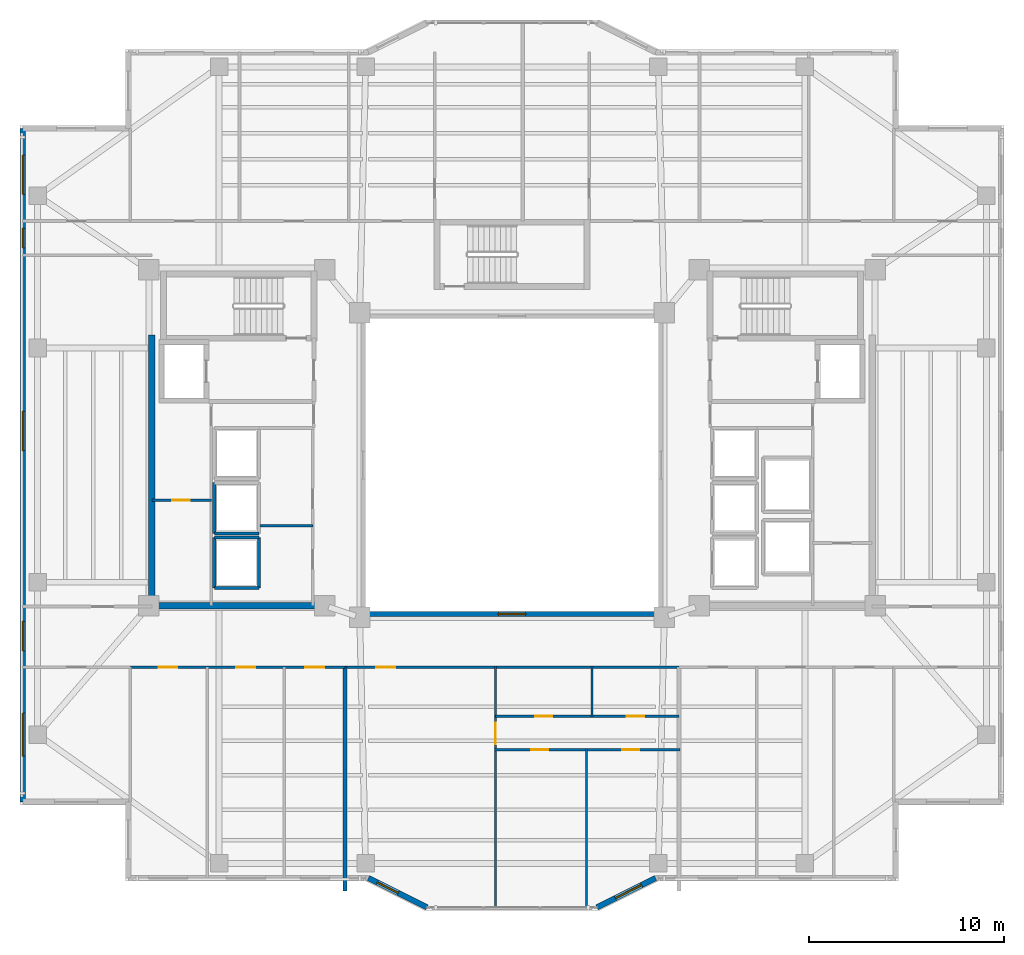
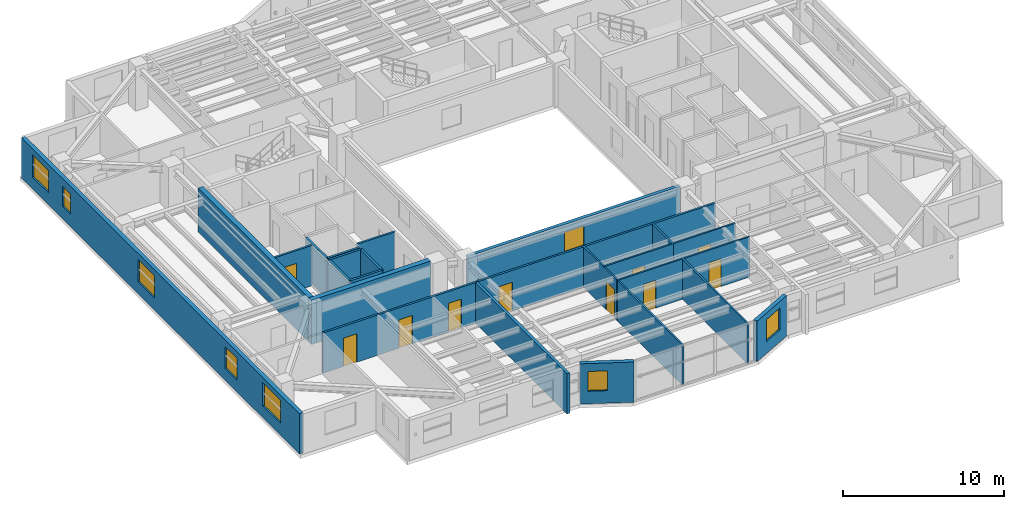
# One storey, part 6 of 15: 23 walls, 10 doors, 8 windows, 18 openings.
"""IFC4 building model written with IfcOpenShell, lengths in metres."""

import ifcopenshell
import ifcopenshell.guid

model = None  # the IFC model being written
_history = None  # IfcOwnerHistory: only IFC2X3 demands one
_inside = {}  # id of a spatial element -> (the spatial element, [elements in it])
_under = {}  # id of a project, library or spatial element -> (it, [spatial elements below it])
_declared = {}  # id of a project -> (the project, [libraries it declares])
_typed = {}  # id of a type object -> (the type object, [elements of that type])
_made_of = {}  # id of a material, layer set ... -> (it, [elements and type objects made of it])


def new_model(schema):
    """Start an empty IFC model of exactly this schema.

    Asked for "IFC4X3", IfcOpenShell would pick the latest addendum, in which some entities
    have other attributes; the version numbers below select the first issue.
    IFC2X3 requires an IfcOwnerHistory on every rooted entity: one is made here for all.
    """
    global model, _history
    if schema == "IFC4X3":
        model = ifcopenshell.file(schema_version=(4, 3, 0, 0))
    else:
        model = ifcopenshell.file(schema=schema)
    _inside.clear()
    _under.clear()
    _declared.clear()
    _typed.clear()
    _made_of.clear()
    _history = None
    if model.schema == "IFC2X3":
        org = make("IfcOrganization", Name="unknown")
        user = make(
            "IfcPersonAndOrganization",
            ThePerson=make("IfcPerson", FamilyName="unknown"),
            TheOrganization=org,
        )
        app = make(
            "IfcApplication",
            ApplicationDeveloper=org,
            Version="unknown",
            ApplicationFullName="unknown",
            ApplicationIdentifier="unknown",
        )
        _history = make(
            "IfcOwnerHistory",
            OwningUser=user,
            OwningApplication=app,
            ChangeAction="ADDED",
            CreationDate=0,
        )
    return model


def make(cls, **values):
    """One entity of the class cls with the attributes given. An attribute that is None is left unset."""
    return model.create_entity(
        cls, **{name: value for name, value in values.items() if value is not None}
    )


def rooted(cls, **values):
    """An entity with a GlobalId (a new one), such as an element, a storey or a relation."""
    return make(cls, GlobalId=ifcopenshell.guid.new(), OwnerHistory=_history, **values)


def si_unit(unit_type, name, prefix=None):
    """IfcSIUnit, for example si_unit("LENGTHUNIT", "METRE", prefix="MILLI")."""
    return make("IfcSIUnit", UnitType=unit_type, Prefix=prefix, Name=name)


def assignment(units):
    """IfcUnitAssignment: the units of a project."""
    return None if units is None else make("IfcUnitAssignment", Units=units)


def point(xyz):
    """IfcCartesianPoint."""
    return None if xyz is None else make("IfcCartesianPoint", Coordinates=xyz)


def direction(xyz):
    """IfcDirection."""
    return None if xyz is None else make("IfcDirection", DirectionRatios=xyz)


def frame(location, z_axis=None, x_axis=None):
    """IfcAxis2Placement3D, a coordinate frame: its origin and axes. An axis left out is left unset."""
    return make(
        "IfcAxis2Placement3D",
        Location=point(location),
        Axis=direction(z_axis),
        RefDirection=direction(x_axis),
    )


def frame_2d(location, x_axis=None):
    """IfcAxis2Placement2D, a coordinate frame in the plane: its origin and x axis."""
    return make(
        "IfcAxis2Placement2D", Location=point(location), RefDirection=direction(x_axis)
    )


def origin():
    """The frame at (0, 0, 0) with its axes left unset."""
    return frame((0.0, 0.0, 0.0))


def place(relative_to, where):
    """IfcLocalPlacement: puts the frame where relative to a parent placement (None: the world)."""
    return make(
        "IfcLocalPlacement", PlacementRelTo=relative_to, RelativePlacement=where
    )


def context(
    kind, dimensions, precision=None, world=None, true_north=None, identifier=None
):
    """IfcGeometricRepresentationContext, for example the 3D "Model" context."""
    return make(
        "IfcGeometricRepresentationContext",
        ContextIdentifier=identifier,
        ContextType=kind,
        CoordinateSpaceDimension=dimensions,
        Precision=precision,
        WorldCoordinateSystem=world,
        TrueNorth=true_north,
    )


def subcontext(parent, identifier, kind, view, scale=None):
    """IfcGeometricRepresentationSubContext, for example "Body" below "Model"."""
    return make(
        "IfcGeometricRepresentationSubContext",
        ContextIdentifier=identifier,
        ContextType=kind,
        ParentContext=parent,
        TargetScale=scale,
        TargetView=view,
    )


def project(units=None, contexts=None):
    """IfcProject with its units and contexts."""
    return rooted(
        "IfcProject",
        Name="project",
        RepresentationContexts=contexts,
        UnitsInContext=assignment(units),
    )


def spatial(cls, under=None, at=None, **own):
    """A site, building, storey or space (cls), placed at a placement, below another one or the project."""
    s = rooted(cls, ObjectPlacement=at, **own)
    if under is not None:
        _under.setdefault(under.id(), (under, []))[1].append(s)
    return s


def profile(cls, at=None, kind="AREA", **sizes):
    """A parametric profile (cls). Its sizes go by their IFC names, for example OverallWidth=200.0."""
    return make(cls, ProfileType=kind, Position=at, **sizes)


def rectangle(**sizes):
    """IfcRectangleProfileDef."""
    return profile("IfcRectangleProfileDef", **sizes)


def extrude(swept, where, along, depth):
    """IfcExtrudedAreaSolid: the profile swept, set in the frame where, extruded along a direction by depth."""
    return make(
        "IfcExtrudedAreaSolid",
        SweptArea=swept,
        Position=where,
        ExtrudedDirection=direction(along),
        Depth=depth,
    )


def shape(context_of_items, identifier, shape_type, items):
    """IfcShapeRepresentation: the items that make up one representation, for example the "Body"."""
    return make(
        "IfcShapeRepresentation",
        ContextOfItems=context_of_items,
        RepresentationIdentifier=identifier,
        RepresentationType=shape_type,
        Items=items,
    )


def material(Name=None, Category=None):
    """IfcMaterial."""
    return make("IfcMaterial", Name=Name, Category=Category)


def layer(
    of_material, thickness, ventilated=None, Name=None, Category=None, Priority=None
):
    """IfcMaterialLayer: one layer of a wall or slab, of a material (None: an air gap)."""
    return make(
        "IfcMaterialLayer",
        Material=of_material,
        LayerThickness=thickness,
        IsVentilated=ventilated,
        Name=Name,
        Category=Category,
        Priority=Priority,
    )


def layer_set(layers, Name=None):
    """IfcMaterialLayerSet."""
    return make("IfcMaterialLayerSet", MaterialLayers=layers, LayerSetName=Name)


def made_of(thing, what):
    """Note that an element or type object is made of a material, layer set ...; save() writes the relation."""
    if what is not None:
        _made_of.setdefault(what.id(), (what, []))[1].append(thing)
    return thing


def type_object(cls, material=None, **own):
    """A type object (cls), such as IfcWallType, which elements share."""
    return made_of(rooted(cls, **own), material)


def element(
    cls,
    number,
    at=None,
    inside=None,
    cuts=None,
    type_object=None,
    material=None,
    context=None,
    identifier="Body",
    shape_type=None,
    held_by="IfcProductDefinitionShape",
    body=None,
    shapes=None,
    **own,
):
    """One element of the class cls, such as IfcWall. Its Tag is "e" and its number.

    at: its placement. inside: the storey or other place that contains it. cuts: it is an
    opening in that element (IfcRelVoidsElement). A single representation is given by context,
    identifier, shape_type and body (its items); several are given by shapes. held_by: the class
    of the entity that holds the representations. save() writes the other relations.
    """
    e = rooted(cls, Tag="e%d" % number, ObjectPlacement=at, **own)
    if body is not None:
        shapes = [shape(context, identifier, shape_type, body)]
    if shapes is not None:
        e.Representation = make(held_by, Representations=shapes)
    if inside is not None:
        _inside.setdefault(inside.id(), (inside, []))[1].append(e)
    if cuts is not None:
        rooted(
            "IfcRelVoidsElement", RelatingBuildingElement=cuts, RelatedOpeningElement=e
        )
    if type_object is not None:
        _typed.setdefault(type_object.id(), (type_object, []))[1].append(e)
    return made_of(e, material)


def fill(opening, filler):
    """IfcRelFillsElement: the door or window that sits in an opening."""
    return rooted(
        "IfcRelFillsElement",
        RelatingOpeningElement=opening,
        RelatedBuildingElement=filler,
    )


def aggregate(whole, parts):
    """IfcRelAggregates: a whole, such as a stair, and the parts it consists of."""
    return rooted("IfcRelAggregates", RelatingObject=whole, RelatedObjects=parts)


def save(model, path):
    """Write the relations noted so far, then the file.

    IfcRelAggregates (storeys below a building ...), IfcRelContainedInSpatialStructure (elements
    in a storey), IfcRelDefinesByType, IfcRelAssociatesMaterial and IfcRelDeclares: one each for
    every whole, place, type object, material and project.
    """
    for whole, parts in _under.values():
        aggregate(whole, parts)
    for where, things in _inside.values():
        rooted(
            "IfcRelContainedInSpatialStructure",
            RelatedElements=things,
            RelatingStructure=where,
        )
    for kind, things in _typed.values():
        rooted("IfcRelDefinesByType", RelatedObjects=things, RelatingType=kind)
    for what, things in _made_of.values():
        rooted("IfcRelAssociatesMaterial", RelatedObjects=things, RelatingMaterial=what)
    for by, libraries in _declared.values():
        rooted("IfcRelDeclares", RelatingContext=by, RelatedDefinitions=libraries)
    model.write(path)


model = new_model("IFC4")

# Units and contexts
model_context = context("Model", 3, precision=1e-05, world=origin(), true_north=direction((0.0, 1.0)))
body_context = subcontext(model_context, "Body", "Model", "MODEL_VIEW")
ifc_project = project(units=[si_unit("LENGTHUNIT", "METRE"), si_unit("AREAUNIT", "SQUARE_METRE"), si_unit("VOLUMEUNIT", "CUBIC_METRE"), si_unit("PLANEANGLEUNIT", "RADIAN"), si_unit("MASSUNIT", "GRAM", prefix="KILO")], contexts=[model_context])

# Site, building, storey
site_placement = place(None, origin())
site = spatial("IfcSite", under=ifc_project, at=site_placement, CompositionType="ELEMENT")
building_placement = place(site_placement, origin())
building = spatial("IfcBuilding", under=site, at=building_placement, Name="Tarnavaz Court Tower", CompositionType="ELEMENT")
storey_placement = place(building_placement, frame((0.0, 0.0, 169.449951171875)))
storey = spatial("IfcBuildingStorey", under=building, at=storey_placement, Name="L46", CompositionType="ELEMENT", Elevation=169.449951171875)

# Walls
ifc_material_1 = material(Name="Concrete C50/60", Category="concrete")
ifc_layer_1 = layer(ifc_material_1, 0.35009765625)
ifc_layer_set_1 = layer_set([ifc_layer_1], Name="Concrete C50/60")
wall_type_1 = type_object("IfcWallType", Name="WL-CORE-350-C50", PredefinedType="SHEAR", material=ifc_layer_set_1)
wall_1_placement = place(storey_placement, frame((-18.449951171875, -7.375, 0.0), z_axis=(0.0, 0.0, 1.0), x_axis=(0.0, 1.0, 0.0)))
element("IfcWall", 1, at=wall_1_placement, inside=storey, type_object=wall_type_1, Name="L46 West Core Shear Wall 057", PredefinedType="SHEAR", context=body_context, shape_type="SweptSolid", body=[
    extrude(rectangle(XDim=14.050048828125, YDim=0.35009765625, at=frame_2d((7.02490234375, 0.0))), origin(), (0.0, 0.0, 1.0), 3.35009765625),
])
wall_2_placement = place(storey_placement, frame((-18.625, -7.199951171875, 0.0), z_axis=(0.0, 0.0, 1.0), x_axis=(1.0, 0.0, 0.0)))
element("IfcWall", 2, at=wall_2_placement, inside=storey, type_object=wall_type_1, Name="L46 West Core South Shear Wall 058", PredefinedType="SHEAR", context=body_context, shape_type="SweptSolid", body=[
    extrude(rectangle(XDim=8.550048828125, YDim=0.35009765625, at=frame_2d((4.27490234375, 0.0))), origin(), (0.0, 0.0, 1.0), 3.35009765625),
])

# Wall, openings, windows
ifc_material_2 = material(Name="Precast Concrete C40/50", Category="concrete")
ifc_layer_2 = layer(ifc_material_2, 0.280029296875)
ifc_layer_set_2 = layer_set([ifc_layer_2], Name="Precast Concrete C40/50")
wall_type_2 = type_object("IfcWallType", Name="WL-EXT-280", PredefinedType="SOLIDWALL", material=ifc_layer_set_2)
wall_3_placement = place(storey_placement, frame((-25.050048828125, -17.25, 0.0), z_axis=(0.0, 0.0, 1.0), x_axis=(0.0, 1.0, 0.0)))
wall_3 = element("IfcWall", 3, at=wall_3_placement, inside=storey, type_object=wall_type_2, Name="L46 Exterior Terracotta Facade Wall 02", PredefinedType="SOLIDWALL", context=body_context, shape_type="SweptSolid", body=[
    extrude(rectangle(XDim=34.5, YDim=0.280029296875, at=frame_2d((17.25, 0.0))), origin(), (0.0, 0.0, 1.0), 3.050048828125),
])
opening_1_placement = place(wall_3_placement, frame((2.35009765625, 0.0, 0.89990234375)))
opening_1 = element("IfcOpeningElement", 4, at=opening_1_placement, cuts=wall_3, Name="Opening W07", PredefinedType="OPENING", context=body_context, shape_type="SweptSolid", body=[
    extrude(rectangle(XDim=2.199951171875, YDim=1.75, at=frame_2d((1.10009765625, 0.875))), frame((0.0, 0.14990234375, 0.0), z_axis=(0.0, -1.0, 0.0), x_axis=(1.0, 0.0, 0.0)), (0.0, 0.0, 1.0), 0.300048828125),
])
opening_2_placement = place(wall_3_placement, frame((7.742431640625, 0.0, 0.89990234375)))
opening_2 = element("IfcOpeningElement", 5, at=opening_2_placement, cuts=wall_3, Name="Opening W03", PredefinedType="OPENING", context=body_context, shape_type="SweptSolid", body=[
    extrude(rectangle(XDim=1.5, YDim=1.64990234375, at=frame_2d((0.75, 0.824951171875))), frame((0.0, 0.14990234375, 0.0), z_axis=(0.0, -1.0, 0.0), x_axis=(1.0, 0.0, 0.0)), (0.0, 0.0, 1.0), 0.300048828125),
])
opening_3_placement = place(wall_3_placement, frame((18.0, 0.0, 0.89990234375)))
opening_3 = element("IfcOpeningElement", 6, at=opening_3_placement, cuts=wall_3, Name="Opening W08", PredefinedType="OPENING", context=body_context, shape_type="SweptSolid", body=[
    extrude(rectangle(XDim=2.0, YDim=1.699951171875, at=frame_2d((1.0, 0.85009765625))), frame((0.0, 0.14990234375, 0.0), z_axis=(0.0, -1.0, 0.0), x_axis=(1.0, 0.0, 0.0)), (0.0, 0.0, 1.0), 0.300048828125),
])
opening_4_placement = place(wall_3_placement, frame((28.375, 0.0, 0.949951171875)))
opening_4 = element("IfcOpeningElement", 7, at=opening_4_placement, cuts=wall_3, Name="Opening W14", PredefinedType="OPENING", context=body_context, shape_type="SweptSolid", body=[
    extrude(rectangle(XDim=1.0, YDim=1.5, at=frame_2d((0.5, 0.75))), frame((0.0, 0.14990234375, 0.0), z_axis=(0.0, -1.0, 0.0), x_axis=(1.0, 0.0, 0.0)), (0.0, 0.0, 1.0), 0.300048828125),
])
opening_5_placement = place(wall_3_placement, frame((31.125, 0.0, 0.89990234375)))
opening_5 = element("IfcOpeningElement", 8, at=opening_5_placement, cuts=wall_3, Name="Opening W08", PredefinedType="OPENING", context=body_context, shape_type="SweptSolid", body=[
    extrude(rectangle(XDim=2.0, YDim=1.699951171875, at=frame_2d((1.0, 0.85009765625))), frame((0.0, 0.14990234375, 0.0), z_axis=(0.0, -1.0, 0.0), x_axis=(1.0, 0.0, 0.0)), (0.0, 0.0, 1.0), 0.300048828125),
])
ifc_material_3 = material(Name="Double-Glazed Solar Low-E Glass", Category="glass")
window_type_1 = type_object("IfcWindowType", Name="WN-APT-1000", PartitioningType="SINGLE_PANEL", PredefinedType="WINDOW", material=ifc_material_3)
window_1_placement = place(opening_4_placement, origin())
window_1 = element("IfcWindow", 9, at=window_1_placement, inside=storey, type_object=window_type_1, Name="L46 North-West Corner Corridor Window", OverallHeight=1.5, OverallWidth=1.0, PartitioningType="SINGLE_PANEL", PredefinedType="WINDOW", context=body_context, shape_type="SweptSolid", body=[
    extrude(rectangle(XDim=1.0, YDim=1.5, at=frame_2d((0.5, 0.75))), frame((0.0, 0.030029296875, 0.0), z_axis=(0.0, -1.0, 0.0), x_axis=(1.0, 0.0, 0.0)), (0.0, 0.0, 1.0), 0.06005859375),
])
fill(opening_4, window_1)
window_type_2 = type_object("IfcWindowType", Name="WN-APT-1500", PartitioningType="DOUBLE_PANEL_VERTICAL", PredefinedType="WINDOW", material=ifc_material_3)
window_2_placement = place(opening_2_placement, origin())
window_2 = element("IfcWindow", 10, at=window_2_placement, inside=storey, type_object=window_type_2, Name="L46 South-West Corner Corridor Window", OverallHeight=1.64990234375, OverallWidth=1.5, PartitioningType="SINGLE_PANEL", PredefinedType="WINDOW", context=body_context, shape_type="SweptSolid", body=[
    extrude(rectangle(XDim=1.5, YDim=1.64990234375, at=frame_2d((0.75, 0.824951171875))), frame((0.0, 0.030029296875, 0.0), z_axis=(0.0, -1.0, 0.0), x_axis=(1.0, 0.0, 0.0)), (0.0, 0.0, 1.0), 0.06005859375),
])
fill(opening_2, window_2)
window_type_3 = type_object("IfcWindowType", Name="WN-APT-2000", PartitioningType="DOUBLE_PANEL_VERTICAL", PredefinedType="WINDOW", material=ifc_material_3)
window_3_placement = place(opening_3_placement, origin())
window_3 = element("IfcWindow", 11, at=window_3_placement, inside=storey, type_object=window_type_3, Name="L46 West Wing Panoramic Study Gallery Window", OverallHeight=1.699951171875, OverallWidth=2.0, PartitioningType="SINGLE_PANEL", PredefinedType="WINDOW", context=body_context, shape_type="SweptSolid", body=[
    extrude(rectangle(XDim=2.0, YDim=1.699951171875, at=frame_2d((1.0, 0.85009765625))), frame((0.0, 0.030029296875, 0.0), z_axis=(0.0, -1.0, 0.0), x_axis=(1.0, 0.0, 0.0)), (0.0, 0.0, 1.0), 0.06005859375),
])
fill(opening_3, window_3)
window_4_placement = place(opening_5_placement, origin())
window_4 = element("IfcWindow", 12, at=window_4_placement, inside=storey, type_object=window_type_3, Name="L46 North-West Corner Sunroom Study Window", OverallHeight=1.699951171875, OverallWidth=2.0, PartitioningType="SINGLE_PANEL", PredefinedType="WINDOW", context=body_context, shape_type="SweptSolid", body=[
    extrude(rectangle(XDim=2.0, YDim=1.699951171875, at=frame_2d((1.0, 0.85009765625))), frame((0.0, 0.030029296875, 0.0), z_axis=(0.0, -1.0, 0.0), x_axis=(1.0, 0.0, 0.0)), (0.0, 0.0, 1.0), 0.06005859375),
])
fill(opening_5, window_4)
window_type_4 = type_object("IfcWindowType", Name="WN-APT-2200", PartitioningType="TRIPLE_PANEL_VERTICAL", PredefinedType="WINDOW", material=ifc_material_3)
window_5_placement = place(opening_1_placement, origin())
window_5 = element("IfcWindow", 13, at=window_5_placement, inside=storey, type_object=window_type_4, Name="L46 South-West Corner Reading Room Window", OverallHeight=1.75, OverallWidth=2.199951171875, PartitioningType="SINGLE_PANEL", PredefinedType="WINDOW", context=body_context, shape_type="SweptSolid", body=[
    extrude(rectangle(XDim=2.199951171875, YDim=1.75, at=frame_2d((1.10009765625, 0.875))), frame((0.0, 0.030029296875, 0.0), z_axis=(0.0, -1.0, 0.0), x_axis=(1.0, 0.0, 0.0)), (0.0, 0.0, 1.0), 0.06005859375),
])
fill(opening_1, window_5)

# Wall, opening, window
wall_4_placement = place(storey_placement, frame((7.35009765625, -21.14990234375, 0.0), z_axis=(0.0, 0.0, 1.0), x_axis=(-0.894427191, -0.4472135955, 0.0)))
wall_4 = element("IfcWall", 14, at=wall_4_placement, inside=storey, type_object=wall_type_2, Name="L46 Exterior Terracotta Facade Wall 16", PredefinedType="SOLIDWALL", context=body_context, shape_type="SweptSolid", body=[
    extrude(rectangle(XDim=3.35400390625, YDim=0.280029296875, at=frame_2d((1.677001953125, 0.0))), origin(), (0.0, 0.0, 1.0), 3.050048828125),
])
opening_6_placement = place(wall_4_placement, frame((0.796875, 0.0, 0.89990234375)))
opening_6 = element("IfcOpeningElement", 15, at=opening_6_placement, cuts=wall_4, Name="Opening W03", PredefinedType="OPENING", context=body_context, shape_type="SweptSolid", body=[
    extrude(rectangle(XDim=1.5, YDim=1.64990234375, at=frame_2d((0.75, 0.824951171875))), frame((0.0, 0.14990234375, 0.0), z_axis=(0.0, -1.0, 0.0), x_axis=(1.0, 0.0, 0.0)), (0.0, 0.0, 1.0), 0.300048828125),
])
window_6_placement = place(opening_6_placement, origin())
window_6 = element("IfcWindow", 16, at=window_6_placement, inside=storey, type_object=window_type_2, Name="L46 Flat 01 Bedroom 2 Window", OverallHeight=1.64990234375, OverallWidth=1.5, PartitioningType="SINGLE_PANEL", PredefinedType="WINDOW", context=body_context, shape_type="SweptSolid", body=[
    extrude(rectangle(XDim=1.5, YDim=1.64990234375, at=frame_2d((0.75, 0.824951171875))), frame((0.0, 0.030029296875, 0.0), z_axis=(0.0, -1.0, 0.0), x_axis=(1.0, 0.0, 0.0)), (0.0, 0.0, 1.0), 0.06005859375),
])
fill(opening_6, window_6)

wall_5_placement = place(storey_placement, frame((-4.35009765625, -22.64990234375, 0.0), z_axis=(0.0, 0.0, 1.0), x_axis=(-0.894427191, 0.4472135955, 0.0)))
wall_5 = element("IfcWall", 17, at=wall_5_placement, inside=storey, type_object=wall_type_2, Name="L46 Exterior Terracotta Facade Wall 18", PredefinedType="SOLIDWALL", context=body_context, shape_type="SweptSolid", body=[
    extrude(rectangle(XDim=3.35400390625, YDim=0.280029296875, at=frame_2d((1.677001953125, 0.0))), origin(), (0.0, 0.0, 1.0), 3.050048828125),
])
opening_7_placement = place(wall_5_placement, frame((1.65283203125, 0.0, 0.949951171875)))
opening_7 = element("IfcOpeningElement", 18, at=opening_7_placement, cuts=wall_5, Name="Opening W05", PredefinedType="OPENING", context=body_context, shape_type="SweptSolid", body=[
    extrude(rectangle(XDim=1.199951171875, YDim=1.5, at=frame_2d((0.60009765625, 0.75))), frame((0.0, 0.14990234375, 0.0), z_axis=(0.0, -1.0, 0.0), x_axis=(1.0, 0.0, 0.0)), (0.0, 0.0, 1.0), 0.300048828125),
])
window_type_5 = type_object("IfcWindowType", Name="WN-APT-1200", PartitioningType="SINGLE_PANEL", PredefinedType="WINDOW", material=ifc_material_3)
window_7_placement = place(opening_7_placement, origin())
window_7 = element("IfcWindow", 19, at=window_7_placement, inside=storey, type_object=window_type_5, Name="L46 Flat 01 Living and Dining Room Window", OverallHeight=1.5, OverallWidth=1.199951171875, PartitioningType="SINGLE_PANEL", PredefinedType="WINDOW", context=body_context, shape_type="SweptSolid", body=[
    extrude(rectangle(XDim=1.199951171875, YDim=1.5, at=frame_2d((0.60009765625, 0.75))), frame((0.0, 0.030029296875, 0.0), z_axis=(0.0, -1.0, 0.0), x_axis=(1.0, 0.0, 0.0)), (0.0, 0.0, 1.0), 0.06005859375),
])
fill(opening_7, window_7)

# Wall, openings, doors
ifc_material_4 = material(Name="Gypsum Fire-Board on Acoustic Metal Stud", Category="masonry")
ifc_layer_3 = layer(ifc_material_4, 0.14990234375)
ifc_layer_set_3 = layer_set([ifc_layer_3], Name="Gypsum Fire-Board on Acoustic Metal Stud")
wall_type_3 = type_object("IfcWallType", Name="WL-FIRE-150", PredefinedType="PARTITIONING", material=ifc_layer_set_3)
wall_6_placement = place(storey_placement, frame((-19.550048828125, -10.35009765625, 0.0), z_axis=(0.0, 0.0, 1.0), x_axis=(1.0, 0.0, 0.0)))
wall_6 = element("IfcWall", 20, at=wall_6_placement, inside=storey, type_object=wall_type_3, Name="L46 SW Horseshoe Wall 073", PredefinedType="PARTITIONING", context=body_context, shape_type="SweptSolid", body=[
    extrude(rectangle(XDim=11.0, YDim=0.14990234375, at=frame_2d((5.5, 0.0))), origin(), (0.0, 0.0, 1.0), 3.050048828125),
])
opening_8_placement = place(wall_6_placement, frame((1.466064453125, 0.0, 0.0)))
opening_8 = element("IfcOpeningElement", 21, at=opening_8_placement, cuts=wall_6, Name="Opening D13", PredefinedType="OPENING", context=body_context, shape_type="SweptSolid", body=[
    extrude(rectangle(XDim=0.949951171875, YDim=2.14990234375, at=frame_2d((0.47509765625, 1.074951171875))), frame((0.0, 0.0849609375, 0.0), z_axis=(0.0, -1.0, 0.0), x_axis=(1.0, 0.0, 0.0)), (0.0, 0.0, 1.0), 0.169921875),
])
opening_9_placement = place(wall_6_placement, frame((5.43798828125, 0.0, 0.0)))
opening_9 = element("IfcOpeningElement", 22, at=opening_9_placement, cuts=wall_6, Name="Opening D13", PredefinedType="OPENING", context=body_context, shape_type="SweptSolid", body=[
    extrude(rectangle(XDim=0.949951171875, YDim=2.14990234375, at=frame_2d((0.47509765625, 1.074951171875))), frame((0.0, 0.0849609375, 0.0), z_axis=(0.0, -1.0, 0.0), x_axis=(1.0, 0.0, 0.0)), (0.0, 0.0, 1.0), 0.169921875),
])
opening_10_placement = place(wall_6_placement, frame((8.971923828125, 0.0, 0.0)))
opening_10 = element("IfcOpeningElement", 23, at=opening_10_placement, cuts=wall_6, Name="Opening D13", PredefinedType="OPENING", context=body_context, shape_type="SweptSolid", body=[
    extrude(rectangle(XDim=0.949951171875, YDim=2.14990234375, at=frame_2d((0.47509765625, 1.074951171875))), frame((0.0, 0.0849609375, 0.0), z_axis=(0.0, -1.0, 0.0), x_axis=(1.0, 0.0, 0.0)), (0.0, 0.0, 1.0), 0.169921875),
])
ifc_material_5 = material(Name="Engineered Oak Timber", Category="wood")
door_type_1 = type_object("IfcDoorType", Name="DR-INT-950", OperationType="NOTDEFINED", PredefinedType="DOOR", material=ifc_material_5)
door_1_placement = place(opening_8_placement, origin())
door_1 = element("IfcDoor", 24, at=door_1_placement, inside=storey, type_object=door_type_1, Name="L46 Resident Fitness and Yoga Studio Door", OperationType="SINGLE_SWING_LEFT", OverallHeight=2.14990234375, OverallWidth=0.949951171875, PredefinedType="DOOR", context=body_context, shape_type="SweptSolid", body=[
    extrude(rectangle(XDim=0.949951171875, YDim=2.14990234375, at=frame_2d((0.47509765625, 1.074951171875))), frame((0.0, 0.02490234375, 0.0), z_axis=(0.0, -1.0, 0.0), x_axis=(1.0, 0.0, 0.0)), (0.0, 0.0, 1.0), 0.050048828125),
])
fill(opening_8, door_1)
door_2_placement = place(opening_9_placement, origin())
door_2 = element("IfcDoor", 25, at=door_2_placement, inside=storey, type_object=door_type_1, Name="L46 Children Playroom and Daycare Door", OperationType="SINGLE_SWING_RIGHT", OverallHeight=2.14990234375, OverallWidth=0.949951171875, PredefinedType="DOOR", context=body_context, shape_type="SweptSolid", body=[
    extrude(rectangle(XDim=0.949951171875, YDim=2.14990234375, at=frame_2d((0.47509765625, 1.074951171875))), frame((0.0, 0.02490234375, 0.0), z_axis=(0.0, -1.0, 0.0), x_axis=(1.0, 0.0, 0.0)), (0.0, 0.0, 1.0), 0.050048828125),
])
fill(opening_9, door_2)
door_3_placement = place(opening_10_placement, origin())
door_3 = element("IfcDoor", 26, at=door_3_placement, inside=storey, type_object=door_type_1, Name="L46 Shared Community Tea Pantry Door", OperationType="SINGLE_SWING_LEFT", OverallHeight=2.14990234375, OverallWidth=0.949951171875, PredefinedType="DOOR", context=body_context, shape_type="SweptSolid", body=[
    extrude(rectangle(XDim=0.949951171875, YDim=2.14990234375, at=frame_2d((0.47509765625, 1.074951171875))), frame((0.0, 0.02490234375, 0.0), z_axis=(0.0, -1.0, 0.0), x_axis=(1.0, 0.0, 0.0)), (0.0, 0.0, 1.0), 0.050048828125),
])
fill(opening_10, door_3)

# Wall, opening, door
wall_7_placement = place(storey_placement, frame((-8.550048828125, -10.35009765625, 0.0), z_axis=(0.0, 0.0, 1.0), x_axis=(1.0, 0.0, 0.0)))
wall_7 = element("IfcWall", 27, at=wall_7_placement, inside=storey, type_object=wall_type_3, Name="L46 Interior Partition 088", PredefinedType="PARTITIONING", context=body_context, shape_type="SweptSolid", body=[
    extrude(rectangle(XDim=17.10009765625, YDim=0.14990234375, at=frame_2d((8.550048828125, 0.0))), origin(), (0.0, 0.0, 1.0), 3.050048828125),
])
opening_11_placement = place(wall_7_placement, frame((1.60009765625, 0.0, 0.0)))
opening_11 = element("IfcOpeningElement", 28, at=opening_11_placement, cuts=wall_7, Name="Opening D06", PredefinedType="OPENING", context=body_context, shape_type="SweptSolid", body=[
    extrude(rectangle(XDim=0.9599609375, YDim=2.14990234375, at=frame_2d((0.47998046875, 1.074951171875))), frame((0.0, 0.0849609375, 0.0), z_axis=(0.0, -1.0, 0.0), x_axis=(1.0, 0.0, 0.0)), (0.0, 0.0, 1.0), 0.169921875),
])
ifc_material_6 = material(Name="Fire-Rated Hardwood Timber Core", Category="wood")
door_type_2 = type_object("IfcDoorType", Name="DR-FD60-950", OperationType="NOTDEFINED", PredefinedType="DOOR", material=ifc_material_6)
door_4_placement = place(opening_11_placement, origin())
door_4 = element("IfcDoor", 29, at=door_4_placement, inside=storey, type_object=door_type_2, Name="L46 Flat 01 Entrance Door", OperationType="SINGLE_SWING_LEFT", OverallHeight=2.14990234375, OverallWidth=0.9599609375, PredefinedType="DOOR", context=body_context, shape_type="SweptSolid", body=[
    extrude(rectangle(XDim=0.9599609375, YDim=2.14990234375, at=frame_2d((0.47998046875, 1.074951171875))), frame((0.0, 0.02490234375, 0.0), z_axis=(0.0, -1.0, 0.0), x_axis=(1.0, 0.0, 0.0)), (0.0, 0.0, 1.0), 0.050048828125),
])
fill(opening_11, door_4)

# Wall
ifc_material_7 = material(Name="Autoclaved Aerated Concrete Blockwork", Category="masonry")
ifc_layer_4 = layer(ifc_material_7, 0.199951171875)
ifc_layer_set_4 = layer_set([ifc_layer_4], Name="Autoclaved Aerated Concrete Blockwork")
wall_type_4 = type_object("IfcWallType", Name="WL-FIRE-200", PredefinedType="SOLIDWALL", material=ifc_layer_set_4)
wall_8_placement = place(storey_placement, frame((-8.550048828125, -21.803955078125, 0.0), z_axis=(0.0, 0.0, 1.0), x_axis=(0.0, 1.0, 0.0)))
element("IfcWall", 30, at=wall_8_placement, inside=storey, type_object=wall_type_4, Name="L46 Party Wall 086", PredefinedType="SOLIDWALL", context=body_context, shape_type="SweptSolid", body=[
    extrude(rectangle(XDim=11.453857421875, YDim=0.199951171875, at=frame_2d((5.72705078125, 0.0))), origin(), (0.0, 0.0, 1.0), 3.050048828125),
])

# Wall, opening, door
ifc_material_8 = material(Name="Moisture-Resistant Gypsum Board Partition", Category="masonry")
ifc_layer_5 = layer(ifc_material_8, 0.1201171875)
ifc_layer_set_5 = layer_set([ifc_layer_5], Name="Moisture-Resistant Gypsum Board Partition")
wall_type_5 = type_object("IfcWallType", Name="WL-PART-120", PredefinedType="PARTITIONING", material=ifc_layer_set_5)
wall_9_placement = place(storey_placement, frame((-0.844970703125, -22.679931640625, 0.0), z_axis=(0.0, 0.0, 1.0), x_axis=(0.0, 1.0, 0.0)))
wall_9 = element("IfcWall", 31, at=wall_9_placement, inside=storey, type_object=wall_type_5, Name="L46 Interior Partition 089", PredefinedType="PARTITIONING", context=body_context, shape_type="SweptSolid", body=[
    extrude(rectangle(XDim=12.389892578125, YDim=0.1201171875, at=frame_2d((6.19482421875, 0.0))), origin(), (0.0, 0.0, 1.0), 3.050048828125),
])
opening_12_placement = place(wall_9_placement, frame((8.39501953125, 0.0, 0.0)))
opening_12 = element("IfcOpeningElement", 32, at=opening_12_placement, cuts=wall_9, Name="Opening D12", PredefinedType="OPENING", context=body_context, shape_type="SweptSolid", body=[
    extrude(rectangle(XDim=1.080078125, YDim=2.14990234375, at=frame_2d((0.5400390625, 1.074951171875))), frame((0.0, 0.070068359375, 0.0), z_axis=(0.0, -1.0, 0.0), x_axis=(1.0, 0.0, 0.0)), (0.0, 0.0, 1.0), 0.14013671875),
])
door_type_3 = type_object("IfcDoorType", Name="DR-INT-1100", OperationType="NOTDEFINED", PredefinedType="DOOR", material=ifc_material_5)
door_5_placement = place(opening_12_placement, origin())
door_5 = element("IfcDoor", 33, at=door_5_placement, inside=storey, type_object=door_type_3, Name="L46 Flat 01 Foyer Door", OperationType="SINGLE_SWING_RIGHT", OverallHeight=2.14990234375, OverallWidth=1.080078125, PredefinedType="DOOR", context=body_context, shape_type="SweptSolid", body=[
    extrude(rectangle(XDim=1.080078125, YDim=2.14990234375, at=frame_2d((0.5400390625, 1.074951171875))), frame((0.0, 0.02490234375, 0.0), z_axis=(0.0, -1.0, 0.0), x_axis=(1.0, 0.0, 0.0)), (0.0, 0.0, 1.0), 0.050048828125),
])
fill(opening_12, door_5)

wall_10_placement = place(storey_placement, frame((-0.844970703125, -12.860107421875, 0.0), z_axis=(0.0, 0.0, 1.0), x_axis=(1.0, 0.0, 0.0)))
wall_10 = element("IfcWall", 34, at=wall_10_placement, inside=storey, type_object=wall_type_5, Name="L46 Interior Partition 090", PredefinedType="PARTITIONING", context=body_context, shape_type="SweptSolid", body=[
    extrude(rectangle(XDim=4.94189453125, YDim=0.1201171875, at=frame_2d((2.470947265625, 0.0))), origin(), (0.0, 0.0, 1.0), 3.050048828125),
])
opening_13_placement = place(wall_10_placement, frame((2.031005859375, 0.0, 0.0)))
opening_13 = element("IfcOpeningElement", 35, at=opening_13_placement, cuts=wall_10, Name="Opening D14", PredefinedType="OPENING", context=body_context, shape_type="SweptSolid", body=[
    extrude(rectangle(XDim=0.8798828125, YDim=2.10009765625, at=frame_2d((0.43994140625, 1.050048828125))), frame((0.0, 0.070068359375, 0.0), z_axis=(0.0, -1.0, 0.0), x_axis=(1.0, 0.0, 0.0)), (0.0, 0.0, 1.0), 0.14013671875),
])
door_type_4 = type_object("IfcDoorType", Name="DR-INT-900", OperationType="NOTDEFINED", PredefinedType="DOOR", material=ifc_material_5)
door_6_placement = place(opening_13_placement, origin())
door_6 = element("IfcDoor", 36, at=door_6_placement, inside=storey, type_object=door_type_4, Name="L46 Flat 01 Kitchen Door", OperationType="SINGLE_SWING_LEFT", OverallHeight=2.10009765625, OverallWidth=0.8798828125, PredefinedType="DOOR", context=body_context, shape_type="SweptSolid", body=[
    extrude(rectangle(XDim=0.8798828125, YDim=2.10009765625, at=frame_2d((0.43994140625, 1.050048828125))), frame((0.0, 0.02490234375, 0.0), z_axis=(0.0, -1.0, 0.0), x_axis=(1.0, 0.0, 0.0)), (0.0, 0.0, 1.0), 0.050048828125),
])
fill(opening_13, door_6)

wall_11_placement = place(storey_placement, frame((4.096923828125, -12.860107421875, 0.0), z_axis=(0.0, 0.0, 1.0), x_axis=(1.0, 0.0, 0.0)))
wall_11 = element("IfcWall", 37, at=wall_11_placement, inside=storey, type_object=wall_type_5, Name="L46 Interior Partition 091", PredefinedType="PARTITIONING", context=body_context, shape_type="SweptSolid", body=[
    extrude(rectangle(XDim=4.453125, YDim=0.1201171875, at=frame_2d((2.2265625, 0.0))), origin(), (0.0, 0.0, 1.0), 3.050048828125),
])
opening_14_placement = place(wall_11_placement, frame((1.787109375, 0.0, 0.0)))
opening_14 = element("IfcOpeningElement", 38, at=opening_14_placement, cuts=wall_11, Name="Opening D14", PredefinedType="OPENING", context=body_context, shape_type="SweptSolid", body=[
    extrude(rectangle(XDim=0.8798828125, YDim=2.10009765625, at=frame_2d((0.43994140625, 1.050048828125))), frame((0.0, 0.070068359375, 0.0), z_axis=(0.0, -1.0, 0.0), x_axis=(1.0, 0.0, 0.0)), (0.0, 0.0, 1.0), 0.14013671875),
])
door_7_placement = place(opening_14_placement, origin())
door_7 = element("IfcDoor", 39, at=door_7_placement, inside=storey, type_object=door_type_4, Name="L46 Flat 01 Bathroom Door", OperationType="SINGLE_SWING_RIGHT", OverallHeight=2.10009765625, OverallWidth=0.8798828125, PredefinedType="DOOR", context=body_context, shape_type="SweptSolid", body=[
    extrude(rectangle(XDim=0.8798828125, YDim=2.10009765625, at=frame_2d((0.43994140625, 1.050048828125))), frame((0.0, 0.02490234375, 0.0), z_axis=(0.0, -1.0, 0.0), x_axis=(1.0, 0.0, 0.0)), (0.0, 0.0, 1.0), 0.050048828125),
])
fill(opening_14, door_7)

# Wall, openings, doors
wall_12_placement = place(storey_placement, frame((-0.905029296875, -14.570068359375, 0.0), z_axis=(0.0, 0.0, 1.0), x_axis=(1.0, 0.0, 0.0)))
wall_12 = element("IfcWall", 40, at=wall_12_placement, inside=storey, type_object=wall_type_5, Name="L46 Interior Partition 092", PredefinedType="PARTITIONING", context=body_context, shape_type="SweptSolid", body=[
    extrude(rectangle(XDim=9.51513671875, YDim=0.1201171875, at=frame_2d((4.757568359375, 0.0))), origin(), (0.0, 0.0, 1.0), 3.050048828125),
])
opening_15_placement = place(wall_12_placement, frame((1.89111328125, 0.0, 0.0)))
opening_15 = element("IfcOpeningElement", 41, at=opening_15_placement, cuts=wall_12, Name="Opening D14", PredefinedType="OPENING", context=body_context, shape_type="SweptSolid", body=[
    extrude(rectangle(XDim=0.8798828125, YDim=2.10009765625, at=frame_2d((0.43994140625, 1.050048828125))), frame((0.0, 0.070068359375, 0.0), z_axis=(0.0, -1.0, 0.0), x_axis=(1.0, 0.0, 0.0)), (0.0, 0.0, 1.0), 0.14013671875),
])
opening_16_placement = place(wall_12_placement, frame((6.553955078125, 0.0, 0.0)))
opening_16 = element("IfcOpeningElement", 42, at=opening_16_placement, cuts=wall_12, Name="Opening D14", PredefinedType="OPENING", context=body_context, shape_type="SweptSolid", body=[
    extrude(rectangle(XDim=0.8798828125, YDim=2.10009765625, at=frame_2d((0.43994140625, 1.050048828125))), frame((0.0, 0.070068359375, 0.0), z_axis=(0.0, -1.0, 0.0), x_axis=(1.0, 0.0, 0.0)), (0.0, 0.0, 1.0), 0.14013671875),
])
door_8_placement = place(opening_15_placement, origin())
door_8 = element("IfcDoor", 43, at=door_8_placement, inside=storey, type_object=door_type_4, Name="L46 Flat 01 Bedroom 1 Door", OperationType="SINGLE_SWING_LEFT", OverallHeight=2.10009765625, OverallWidth=0.8798828125, PredefinedType="DOOR", context=body_context, shape_type="SweptSolid", body=[
    extrude(rectangle(XDim=0.8798828125, YDim=2.10009765625, at=frame_2d((0.43994140625, 1.050048828125))), frame((0.0, 0.02490234375, 0.0), z_axis=(0.0, -1.0, 0.0), x_axis=(1.0, 0.0, 0.0)), (0.0, 0.0, 1.0), 0.050048828125),
])
fill(opening_15, door_8)
door_9_placement = place(opening_16_placement, origin())
door_9 = element("IfcDoor", 44, at=door_9_placement, inside=storey, type_object=door_type_4, Name="L46 Flat 01 Bedroom 2 Door", OperationType="SINGLE_SWING_RIGHT", OverallHeight=2.10009765625, OverallWidth=0.8798828125, PredefinedType="DOOR", context=body_context, shape_type="SweptSolid", body=[
    extrude(rectangle(XDim=0.8798828125, YDim=2.10009765625, at=frame_2d((0.43994140625, 1.050048828125))), frame((0.0, 0.02490234375, 0.0), z_axis=(0.0, -1.0, 0.0), x_axis=(1.0, 0.0, 0.0)), (0.0, 0.0, 1.0), 0.050048828125),
])
fill(opening_16, door_9)

# Walls
wall_13_placement = place(storey_placement, frame((4.096923828125, -12.919921875, 0.0), z_axis=(0.0, 0.0, 1.0), x_axis=(0.0, 1.0, 0.0)))
element("IfcWall", 45, at=wall_13_placement, inside=storey, type_object=wall_type_5, Name="L46 Interior Partition 093", PredefinedType="PARTITIONING", context=body_context, shape_type="SweptSolid", body=[
    extrude(rectangle(XDim=2.6298828125, YDim=0.1201171875, at=frame_2d((1.31494140625, 0.0))), origin(), (0.0, 0.0, 1.0), 3.050048828125),
])
wall_14_placement = place(storey_placement, frame((3.818115234375, -22.679931640625, 0.0), z_axis=(0.0, 0.0, 1.0), x_axis=(0.0, 1.0, 0.0)))
element("IfcWall", 46, at=wall_14_placement, inside=storey, type_object=wall_type_5, Name="L46 Interior Partition 094", PredefinedType="PARTITIONING", context=body_context, shape_type="SweptSolid", body=[
    extrude(rectangle(XDim=8.169921875, YDim=0.1201171875, at=frame_2d((4.0849609375, 0.0))), origin(), (0.0, 0.0, 1.0), 3.050048828125),
])

# Wall, opening, door
ifc_material_9 = material(Name="Gypsum Plasterboard Acoustic Partition", Category="masonry")
ifc_layer_6 = layer(ifc_material_9, 0.139892578125)
ifc_layer_set_6 = layer_set([ifc_layer_6], Name="Gypsum Plasterboard Acoustic Partition")
wall_type_6 = type_object("IfcWallType", Name="WL-PART-150", PredefinedType="PARTITIONING", material=ifc_layer_set_6)
wall_15_placement = place(storey_placement, frame((-18.449951171875, -1.800048828125, 0.0), z_axis=(0.0, 0.0, 1.0), x_axis=(1.0, 0.0, 0.0)))
wall_15 = element("IfcWall", 47, at=wall_15_placement, inside=storey, type_object=wall_type_6, Name="L46 Interior Partition 064", PredefinedType="PARTITIONING", context=body_context, shape_type="SweptSolid", body=[
    extrude(rectangle(XDim=3.050048828125, YDim=0.139892578125, at=frame_2d((1.52490234375, 0.0))), origin(), (0.0, 0.0, 1.0), 3.050048828125),
])
opening_17_placement = place(wall_15_placement, frame((1.050048828125, 0.0, 0.0)))
opening_17 = element("IfcOpeningElement", 48, at=opening_17_placement, cuts=wall_15, Name="Opening D09", PredefinedType="OPENING", context=body_context, shape_type="SweptSolid", body=[
    extrude(rectangle(XDim=0.89990234375, YDim=2.080078125, at=frame_2d((0.449951171875, 1.0400390625))), frame((0.0, 0.079833984375, 0.0), z_axis=(0.0, -1.0, 0.0), x_axis=(1.0, 0.0, 0.0)), (0.0, 0.0, 1.0), 0.159912109375),
])
door_type_5 = type_object("IfcDoorType", Name="DR-FD30-900", OperationType="NOTDEFINED", PredefinedType="DOOR", material=ifc_material_6)
door_10_placement = place(opening_17_placement, origin())
door_10 = element("IfcDoor", 49, at=door_10_placement, inside=storey, type_object=door_type_5, Name="L46 West Electrical Room Door", OperationType="SINGLE_SWING_LEFT", OverallHeight=2.080078125, OverallWidth=0.89990234375, PredefinedType="DOOR", context=body_context, shape_type="SweptSolid", body=[
    extrude(rectangle(XDim=0.89990234375, YDim=2.080078125, at=frame_2d((0.449951171875, 1.0400390625))), frame((0.0, 0.02490234375, 0.0), z_axis=(0.0, -1.0, 0.0), x_axis=(1.0, 0.0, 0.0)), (0.0, 0.0, 1.0), 0.050048828125),
])
fill(opening_17, door_10)

# Walls
wall_16_placement = place(storey_placement, frame((-12.89990234375, -3.10009765625, 0.0), z_axis=(0.0, 0.0, 1.0), x_axis=(1.0, 0.0, 0.0)))
element("IfcWall", 50, at=wall_16_placement, inside=storey, type_object=wall_type_6, Name="L46 Interior Partition 066", PredefinedType="PARTITIONING", context=body_context, shape_type="SweptSolid", body=[
    extrude(rectangle(XDim=2.699951171875, YDim=0.139892578125, at=frame_2d((1.35009765625, 0.0))), origin(), (0.0, 0.0, 1.0), 3.050048828125),
])
ifc_layer_7 = layer(ifc_material_7, 0.159912109375)
ifc_layer_set_7 = layer_set([ifc_layer_7], Name="Autoclaved Aerated Concrete Blockwork")
wall_type_7 = type_object("IfcWallType", Name="WL-SHAFT-150", PredefinedType="SOLIDWALL", material=ifc_layer_set_7)
for number, where, z_axis, x_axis, name in (
    (51, (-15.25, -6.300048828125, 0.0), (0.0, 0.0, 1.0), (0.0, 1.0, 0.0), "L46 Lift PL-H1 Shaft Wall 021"),
    (52, (-12.949951171875, -6.300048828125, 0.0), (0.0, 0.0, 1.0), (0.0, 1.0, 0.0), "L46 Lift PL-H1 Shaft Wall 022"),
):
    element("IfcWall", number, at=place(storey_placement, frame(where, z_axis=z_axis, x_axis=x_axis)), inside=storey, type_object=wall_type_7, Name=name, PredefinedType="SOLIDWALL", context=body_context, shape_type="SweptSolid", body=[
        extrude(rectangle(XDim=2.60009765625, YDim=0.159912109375, at=frame_2d((1.300048828125, 0.0))), origin(), (0.0, 0.0, 1.0), 3.050048828125),
    ])
for number, where, z_axis, x_axis, name in (
    (53, (-15.25, -6.300048828125, 0.0), (0.0, 0.0, 1.0), (1.0, 0.0, 0.0), "L46 Lift PL-H1 Shaft Wall 023"),
    (54, (-15.25, -3.699951171875, 0.0), (0.0, 0.0, 1.0), (1.0, 0.0, 0.0), "L46 Lift PL-H1 Shaft Wall 024"),
):
    element("IfcWall", number, at=place(storey_placement, frame(where, z_axis=z_axis, x_axis=x_axis)), inside=storey, type_object=wall_type_7, Name=name, PredefinedType="SOLIDWALL", context=body_context, shape_type="SweptSolid", body=[
        extrude(rectangle(XDim=2.300048828125, YDim=0.159912109375, at=frame_2d((1.14990234375, 0.0))), origin(), (0.0, 0.0, 1.0), 3.050048828125),
    ])
wall_17_placement = place(storey_placement, frame((-15.25, -3.5, 0.0), z_axis=(0.0, 0.0, 1.0), x_axis=(0.0, 1.0, 0.0)))
element("IfcWall", 55, at=wall_17_placement, inside=storey, type_object=wall_type_7, Name="L46 Lift PL-H2 Shaft Wall 025", PredefinedType="SOLIDWALL", context=body_context, shape_type="SweptSolid", body=[
    extrude(rectangle(XDim=2.60009765625, YDim=0.159912109375, at=frame_2d((1.300048828125, 0.0))), origin(), (0.0, 0.0, 1.0), 3.050048828125),
])
wall_18_placement = place(storey_placement, frame((-15.25, -3.5, 0.0), z_axis=(0.0, 0.0, 1.0), x_axis=(1.0, 0.0, 0.0)))
element("IfcWall", 56, at=wall_18_placement, inside=storey, type_object=wall_type_7, Name="L46 Lift PL-H2 Shaft Wall 027", PredefinedType="SOLIDWALL", context=body_context, shape_type="SweptSolid", body=[
    extrude(rectangle(XDim=2.300048828125, YDim=0.159912109375, at=frame_2d((1.14990234375, 0.0))), origin(), (0.0, 0.0, 1.0), 3.050048828125),
])

# Wall, opening, window
ifc_layer_8 = layer(ifc_material_2, 0.239990234375)
ifc_layer_set_8 = layer_set([ifc_layer_8], Name="Precast Concrete C40/50")
wall_type_8 = type_object("IfcWallType", Name="WL-WELL-240", PredefinedType="SOLIDWALL", material=ifc_layer_set_8)
wall_19_placement = place(storey_placement, frame((-7.6201171875, -7.6201171875, 0.0), z_axis=(0.0, 0.0, 1.0), x_axis=(1.0, 0.0, 0.0)))
wall_19 = element("IfcWall", 57, at=wall_19_placement, inside=storey, type_object=wall_type_8, Name="L46 Badgir Light-Well Exterior Wall S", PredefinedType="SOLIDWALL", context=body_context, shape_type="SweptSolid", body=[
    extrude(rectangle(XDim=15.240234375, YDim=0.239990234375, at=frame_2d((7.6201171875, 0.0))), origin(), (0.0, 0.0, 1.0), 3.050048828125),
])
opening_18_placement = place(wall_19_placement, frame((6.919921875, 0.0, 0.949951171875)))
opening_18 = element("IfcOpeningElement", 58, at=opening_18_placement, cuts=wall_19, Name="Opening W13", PredefinedType="OPENING", context=body_context, shape_type="SweptSolid", body=[
    extrude(rectangle(XDim=1.39990234375, YDim=1.5, at=frame_2d((0.699951171875, 0.75))), frame((0.0, 0.1298828125, 0.0), z_axis=(0.0, -1.0, 0.0), x_axis=(1.0, 0.0, 0.0)), (0.0, 0.0, 1.0), 0.260009765625),
])
window_type_6 = type_object("IfcWindowType", Name="WN-WEL-1400", PartitioningType="SINGLE_PANEL", PredefinedType="WINDOW", material=ifc_material_3)
window_8_placement = place(opening_18_placement, origin())
window_8 = element("IfcWindow", 59, at=window_8_placement, inside=storey, type_object=window_type_6, Name="L46 Courtyard Gallery Window S", OverallHeight=1.5, OverallWidth=1.39990234375, PartitioningType="SINGLE_PANEL", PredefinedType="WINDOW", context=body_context, shape_type="SweptSolid", body=[
    extrude(rectangle(XDim=1.39990234375, YDim=1.5, at=frame_2d((0.699951171875, 0.75))), frame((0.0, 0.030029296875, 0.0), z_axis=(0.0, -1.0, 0.0), x_axis=(1.0, 0.0, 0.0)), (0.0, 0.0, 1.0), 0.06005859375),
])
fill(opening_18, window_8)

save(model, "model.ifc")
